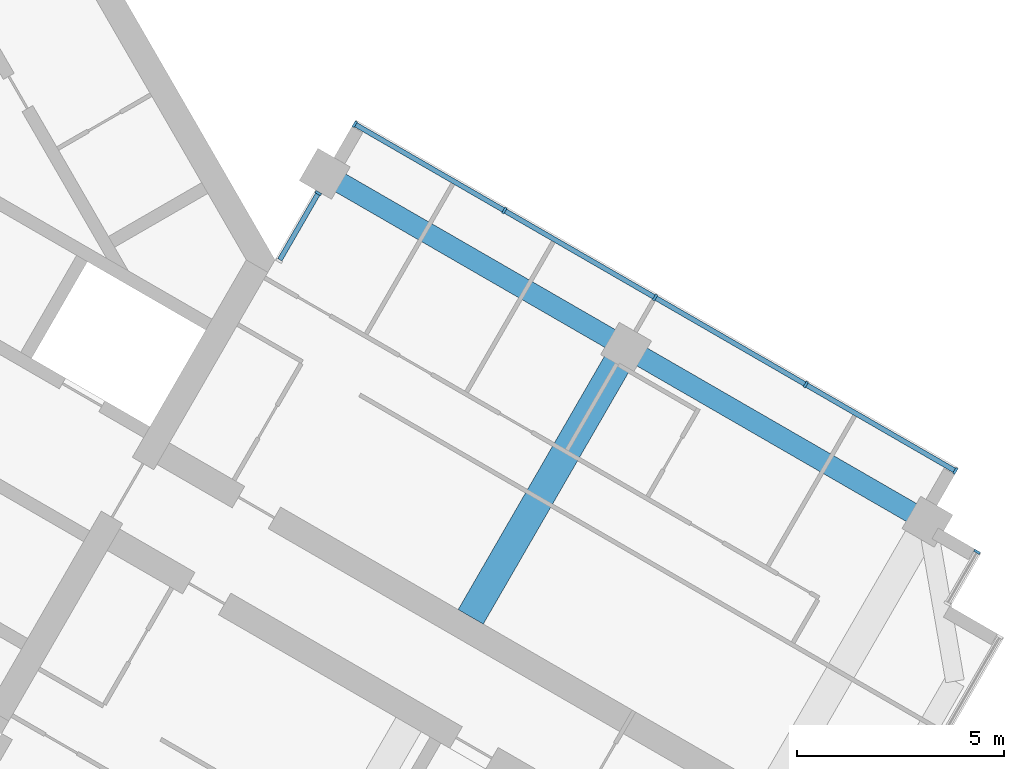
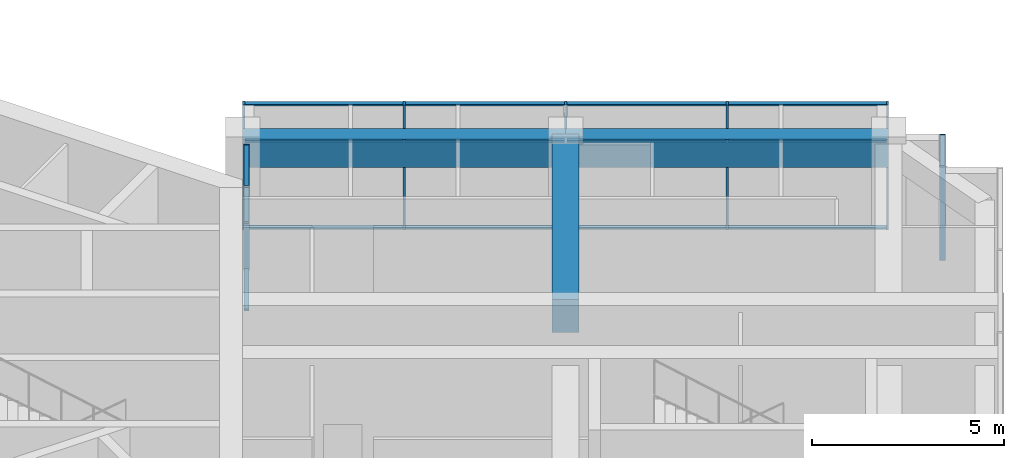
# One storey, part 5 of 15: 22 members, 3 beams, 3 elements without a shape of their own.
"""IFC4 building model written with IfcOpenShell, lengths in metres."""

from ifc_helpers import new_model, si_unit, direction, frame, origin, origin_2d, place, context, subcontext, project, spatial, rectangle, extrude, material, material_profile, profile_set, type_object, element, aggregate, save


model = new_model("IFC4")

# Units and contexts
model_context = context("Model", 3, precision=1e-05, world=origin(), true_north=direction((0.0, 1.0)))
body_context = subcontext(model_context, "Body", "Model", "MODEL_VIEW")
ifc_project = project(units=[si_unit("LENGTHUNIT", "METRE"), si_unit("AREAUNIT", "SQUARE_METRE"), si_unit("VOLUMEUNIT", "CUBIC_METRE"), si_unit("PLANEANGLEUNIT", "RADIAN"), si_unit("MASSUNIT", "GRAM", prefix="KILO")], contexts=[model_context])

# Site, building, storey
site_placement = place(None, origin())
site = spatial("IfcSite", under=ifc_project, at=site_placement, CompositionType="ELEMENT")
building_placement = place(site_placement, origin())
building = spatial("IfcBuilding", under=site, at=building_placement, Name="Impinga Residences", CompositionType="ELEMENT")
storey_placement = place(building_placement, frame((0.0, 0.0, 274.75)))
storey = spatial("IfcBuildingStorey", under=building, at=storey_placement, Name="L69", CompositionType="ELEMENT", Elevation=274.75)

# Beam
ifc_material_1 = material(Name="Concrete C60/75", Category="concrete")
ifc_material_profile_1 = material_profile(ifc_material_1, rectangle(XDim=0.699951171875, YDim=1.050048828125, at=origin_2d()), Name="RC 700x1050")
ifc_profile_set_1 = profile_set([ifc_material_profile_1], Name="Concrete C60/75")
beam_type_1 = type_object("IfcBeamType", Name="CG1 700x1050 cross girder on a wing bay line", PredefinedType="BEAM", material=ifc_profile_set_1)
beam_placement = place(storey_placement, frame((17.924560546875, -8.61669921875, 3.455078125), z_axis=(0.500004234368, 0.866022959057, 0.0), x_axis=(-0.866022959057, 0.500004234368, 0.0)))
element("IfcBeam", 1, at=beam_placement, inside=storey, type_object=beam_type_1, Name="Beam CG1 E2 EC/EA level L70", PredefinedType="BEAM", context=body_context, shape_type="SweptSolid", body=[
    extrude(rectangle(XDim=0.699951171875, YDim=1.050048828125, at=origin_2d()), origin(), (0.0, 0.0, 1.0), 7.5),
])

# Curtain wall, member
ifc_material_2 = material(Name="Aluminium stick curtain wall", Category="aluminium")
curtain_wall_type = type_object("IfcCurtainWallType", Name="CW3 penthouse curtain wall", PredefinedType="USERDEFINED", material=ifc_material_2)
curtain_wall_1_placement = place(storey_placement, origin())
curtain_wall_1 = element("IfcCurtainWall", 2, at=curtain_wall_1_placement, inside=storey, type_object=curtain_wall_type, Name="Curtain wall CW3 L69", ObjectType="STICK CURTAIN WALL", PredefinedType="USERDEFINED")
ifc_material_3 = material(Name="Aluminium mullion", Category="aluminium")
ifc_material_profile_2 = material_profile(ifc_material_3, rectangle(XDim=0.06005859375, YDim=0.159912109375, at=origin_2d()), Name="60x160 mullion")
ifc_profile_set_2 = profile_set([ifc_material_profile_2], Name="Aluminium mullion")
member_type_1 = type_object("IfcMemberType", Name="CW3-M mullion 60x160", PredefinedType="MULLION", material=ifc_profile_set_2)
member_1_placement = place(storey_placement, frame((14.2451171875, 1.610107421875, 0.0), z_axis=(0.0, 0.0, 1.0), x_axis=(0.50000010257, 0.866025344565, 0.0)))
member_1 = element("IfcMember", 3, at=member_1_placement, type_object=member_type_1, Name="CW3 mullion 2", PredefinedType="MULLION", context=body_context, shape_type="SweptSolid", body=[
    extrude(rectangle(XDim=0.06005859375, YDim=0.159912109375, at=origin_2d()), origin(), (0.0, 0.0, 1.0), 3.97998046875),
])

# Curtain wall, members
curtain_wall_2_placement = place(storey_placement, origin())
curtain_wall_2 = element("IfcCurtainWall", 4, at=curtain_wall_2_placement, inside=storey, type_object=curtain_wall_type, Name="Curtain wall CW3 L69", ObjectType="STICK CURTAIN WALL", PredefinedType="USERDEFINED")
member_2_placement = place(storey_placement, frame((15.1259765625, 3.27587890625, 0.0), z_axis=(0.0, 0.0, 1.0), x_axis=(0.866025407005, -0.499999994423, 0.0)))
member_2 = element("IfcMember", 5, at=member_2_placement, type_object=member_type_1, Name="CW3 mullion 1", PredefinedType="MULLION", context=body_context, shape_type="SweptSolid", body=[
    extrude(rectangle(XDim=0.06005859375, YDim=0.159912109375, at=origin_2d()), origin(), (0.0, 0.0, 1.0), 3.97998046875),
])
member_3_placement = place(storey_placement, frame((18.7373046875, 1.19091796875, 0.0), z_axis=(0.0, 0.0, 1.0), x_axis=(0.866025407005, -0.499999994423, 0.0)))
member_3 = element("IfcMember", 6, at=member_3_placement, type_object=member_type_1, Name="CW3 mullion 2", PredefinedType="MULLION", context=body_context, shape_type="SweptSolid", body=[
    extrude(rectangle(XDim=0.06005859375, YDim=0.159912109375, at=origin_2d()), origin(), (0.0, 0.0, 1.0), 3.97998046875),
])
member_4_placement = place(storey_placement, frame((22.37451171875, -0.9091796875, 0.0), z_axis=(0.0, 0.0, 1.0), x_axis=(0.866025407005, -0.499999994423, 0.0)))
member_4 = element("IfcMember", 7, at=member_4_placement, type_object=member_type_1, Name="CW3 mullion 3", PredefinedType="MULLION", context=body_context, shape_type="SweptSolid", body=[
    extrude(rectangle(XDim=0.06005859375, YDim=0.159912109375, at=origin_2d()), origin(), (0.0, 0.0, 1.0), 3.97998046875),
])
member_5_placement = place(storey_placement, frame((26.011962890625, -3.009033203125, 0.0), z_axis=(0.0, 0.0, 1.0), x_axis=(0.866025407005, -0.499999994423, 0.0)))
member_5 = element("IfcMember", 8, at=member_5_placement, type_object=member_type_1, Name="CW3 mullion 4", PredefinedType="MULLION", context=body_context, shape_type="SweptSolid", body=[
    extrude(rectangle(XDim=0.06005859375, YDim=0.159912109375, at=origin_2d()), origin(), (0.0, 0.0, 1.0), 3.97998046875),
])
member_6_placement = place(storey_placement, frame((29.623291015625, -5.093994140625, 0.0), z_axis=(0.0, 0.0, 1.0), x_axis=(0.866025407005, -0.499999994423, 0.0)))
member_6 = element("IfcMember", 9, at=member_6_placement, type_object=member_type_1, Name="CW3 mullion 5", PredefinedType="MULLION", context=body_context, shape_type="SweptSolid", body=[
    extrude(rectangle(XDim=0.06005859375, YDim=0.159912109375, at=origin_2d()), origin(), (0.0, 0.0, 1.0), 3.97998046875),
])

# Curtain wall, member
curtain_wall_3_placement = place(storey_placement, origin())
curtain_wall_3 = element("IfcCurtainWall", 10, at=curtain_wall_3_placement, inside=storey, type_object=curtain_wall_type, Name="Curtain wall CW3 L69", ObjectType="STICK CURTAIN WALL", PredefinedType="USERDEFINED")
member_7_placement = place(storey_placement, frame((30.146728515625, -7.047607421875, 0.0), z_axis=(0.0, 0.0, 1.0), x_axis=(-0.500000030502, -0.866025386174, 0.0)))
member_7 = element("IfcMember", 11, at=member_7_placement, type_object=member_type_1, Name="CW3 mullion 1", PredefinedType="MULLION", context=body_context, shape_type="SweptSolid", body=[
    extrude(rectangle(XDim=0.06005859375, YDim=0.159912109375, at=origin_2d()), origin(), (0.0, 0.0, 1.0), 3.97998046875),
])
aggregate(curtain_wall_3, [member_7])

# Member
ifc_material_4 = material(Name="Aluminium transom", Category="aluminium")
ifc_material_profile_3 = material_profile(ifc_material_4, rectangle(XDim=0.06005859375, YDim=0.1201171875, at=origin_2d()), Name="60x120 transom")
ifc_profile_set_3 = profile_set([ifc_material_profile_3], Name="Aluminium transom")
member_type_2 = type_object("IfcMemberType", Name="CW3-T transom 60x120", PredefinedType="USERDEFINED", material=ifc_profile_set_3)
member_8_placement = place(storey_placement, frame((13.316650390625, 0.001953125, 0.030029296875), z_axis=(0.500019332402, 0.866014241929, 0.0), x_axis=(0.0, 0.0, 1.0)))
member_8 = element("IfcMember", 12, at=member_8_placement, type_object=member_type_2, Name="CW3 transom 1.1", ObjectType="TRANSOM", PredefinedType="USERDEFINED", context=body_context, shape_type="SweptSolid", body=[
    extrude(rectangle(XDim=0.06005859375, YDim=0.1201171875, at=origin_2d()), origin(), (0.0, 0.0, 1.0), 1.8271484375),
])

member_9_placement = place(storey_placement, frame((13.316650390625, 0.001953125, 2.800048828125), z_axis=(0.500019332402, 0.866014241929, 0.0), x_axis=(0.0, 0.0, 1.0)))
member_9 = element("IfcMember", 13, at=member_9_placement, type_object=member_type_2, Name="CW3 transom 1.2", ObjectType="TRANSOM", PredefinedType="USERDEFINED", context=body_context, shape_type="SweptSolid", body=[
    extrude(rectangle(XDim=0.06005859375, YDim=0.1201171875, at=origin_2d()), origin(), (0.0, 0.0, 1.0), 1.8271484375),
])

member_10_placement = place(storey_placement, frame((13.316650390625, 0.001953125, 3.949951171875), z_axis=(0.500019332402, 0.866014241929, 0.0), x_axis=(0.0, 0.0, 1.0)))
member_10 = element("IfcMember", 14, at=member_10_placement, type_object=member_type_2, Name="CW3 transom 1.3", ObjectType="TRANSOM", PredefinedType="USERDEFINED", context=body_context, shape_type="SweptSolid", body=[
    extrude(rectangle(XDim=0.06005859375, YDim=0.1201171875, at=origin_2d()), origin(), (0.0, 0.0, 1.0), 1.8271484375),
])

aggregate(curtain_wall_1, [member_1, member_8, member_9, member_10])

member_11_placement = place(storey_placement, frame((15.15185546875, 3.260986328125, 0.030029296875), z_axis=(0.866019409031, -0.500010383074, 0.0), x_axis=(0.0, 0.0, 1.0)))
member_11 = element("IfcMember", 15, at=member_11_placement, type_object=member_type_2, Name="CW3 transom 1.1", ObjectType="TRANSOM", PredefinedType="USERDEFINED", context=body_context, shape_type="SweptSolid", body=[
    extrude(rectangle(XDim=0.06005859375, YDim=0.1201171875, at=origin_2d()), origin(), (0.0, 0.0, 1.0), 4.1103515625),
])

member_12_placement = place(storey_placement, frame((15.15185546875, 3.260986328125, 2.800048828125), z_axis=(0.866019409031, -0.500010383074, 0.0), x_axis=(0.0, 0.0, 1.0)))
member_12 = element("IfcMember", 16, at=member_12_placement, type_object=member_type_2, Name="CW3 transom 1.2", ObjectType="TRANSOM", PredefinedType="USERDEFINED", context=body_context, shape_type="SweptSolid", body=[
    extrude(rectangle(XDim=0.06005859375, YDim=0.1201171875, at=origin_2d()), origin(), (0.0, 0.0, 1.0), 4.1103515625),
])

member_13_placement = place(storey_placement, frame((15.15185546875, 3.260986328125, 3.949951171875), z_axis=(0.866019409031, -0.500010383074, 0.0), x_axis=(0.0, 0.0, 1.0)))
member_13 = element("IfcMember", 17, at=member_13_placement, type_object=member_type_2, Name="CW3 transom 1.3", ObjectType="TRANSOM", PredefinedType="USERDEFINED", context=body_context, shape_type="SweptSolid", body=[
    extrude(rectangle(XDim=0.06005859375, YDim=0.1201171875, at=origin_2d()), origin(), (0.0, 0.0, 1.0), 4.1103515625),
])

member_14_placement = place(storey_placement, frame((18.76318359375, 1.17578125, 0.030029296875), z_axis=(0.866050071143, -0.499957272447, 0.0), x_axis=(0.0, 0.0, 1.0)))
member_14 = element("IfcMember", 18, at=member_14_placement, type_object=member_type_2, Name="CW3 transom 2.1", ObjectType="TRANSOM", PredefinedType="USERDEFINED", context=body_context, shape_type="SweptSolid", body=[
    extrude(rectangle(XDim=0.06005859375, YDim=0.1201171875, at=origin_2d()), origin(), (0.0, 0.0, 1.0), 4.139892578125),
])

member_15_placement = place(storey_placement, frame((18.76318359375, 1.17578125, 2.800048828125), z_axis=(0.866050071143, -0.499957272447, 0.0), x_axis=(0.0, 0.0, 1.0)))
member_15 = element("IfcMember", 19, at=member_15_placement, type_object=member_type_2, Name="CW3 transom 2.2", ObjectType="TRANSOM", PredefinedType="USERDEFINED", context=body_context, shape_type="SweptSolid", body=[
    extrude(rectangle(XDim=0.06005859375, YDim=0.1201171875, at=origin_2d()), origin(), (0.0, 0.0, 1.0), 4.139892578125),
])

member_16_placement = place(storey_placement, frame((18.76318359375, 1.17578125, 3.949951171875), z_axis=(0.866050071143, -0.499957272447, 0.0), x_axis=(0.0, 0.0, 1.0)))
member_16 = element("IfcMember", 20, at=member_16_placement, type_object=member_type_2, Name="CW3 transom 2.3", ObjectType="TRANSOM", PredefinedType="USERDEFINED", context=body_context, shape_type="SweptSolid", body=[
    extrude(rectangle(XDim=0.06005859375, YDim=0.1201171875, at=origin_2d()), origin(), (0.0, 0.0, 1.0), 4.139892578125),
])

member_17_placement = place(storey_placement, frame((22.400634765625, -0.924072265625, 0.030029296875), z_axis=(0.866009793405, -0.500027036996, 0.0), x_axis=(0.0, 0.0, 1.0)))
member_17 = element("IfcMember", 21, at=member_17_placement, type_object=member_type_2, Name="CW3 transom 3.1", ObjectType="TRANSOM", PredefinedType="USERDEFINED", context=body_context, shape_type="SweptSolid", body=[
    extrude(rectangle(XDim=0.06005859375, YDim=0.1201171875, at=origin_2d()), origin(), (0.0, 0.0, 1.0), 4.139892578125),
])

member_18_placement = place(storey_placement, frame((22.400634765625, -0.924072265625, 2.800048828125), z_axis=(0.866009793405, -0.500027036996, 0.0), x_axis=(0.0, 0.0, 1.0)))
member_18 = element("IfcMember", 22, at=member_18_placement, type_object=member_type_2, Name="CW3 transom 3.2", ObjectType="TRANSOM", PredefinedType="USERDEFINED", context=body_context, shape_type="SweptSolid", body=[
    extrude(rectangle(XDim=0.06005859375, YDim=0.1201171875, at=origin_2d()), origin(), (0.0, 0.0, 1.0), 4.139892578125),
])

member_19_placement = place(storey_placement, frame((22.400634765625, -0.924072265625, 3.949951171875), z_axis=(0.866009793405, -0.500027036996, 0.0), x_axis=(0.0, 0.0, 1.0)))
member_19 = element("IfcMember", 23, at=member_19_placement, type_object=member_type_2, Name="CW3 transom 3.3", ObjectType="TRANSOM", PredefinedType="USERDEFINED", context=body_context, shape_type="SweptSolid", body=[
    extrude(rectangle(XDim=0.06005859375, YDim=0.1201171875, at=origin_2d()), origin(), (0.0, 0.0, 1.0), 4.139892578125),
])

member_20_placement = place(storey_placement, frame((26.037841796875, -3.024169921875, 0.030029296875), z_axis=(0.866030279993, -0.499991554064, 0.0), x_axis=(0.0, 0.0, 1.0)))
member_20 = element("IfcMember", 24, at=member_20_placement, type_object=member_type_2, Name="CW3 transom 4.1", ObjectType="TRANSOM", PredefinedType="USERDEFINED", context=body_context, shape_type="SweptSolid", body=[
    extrude(rectangle(XDim=0.06005859375, YDim=0.1201171875, at=origin_2d()), origin(), (0.0, 0.0, 1.0), 4.10986328125),
])

member_21_placement = place(storey_placement, frame((26.037841796875, -3.024169921875, 2.800048828125), z_axis=(0.866030279993, -0.499991554064, 0.0), x_axis=(0.0, 0.0, 1.0)))
member_21 = element("IfcMember", 25, at=member_21_placement, type_object=member_type_2, Name="CW3 transom 4.2", ObjectType="TRANSOM", PredefinedType="USERDEFINED", context=body_context, shape_type="SweptSolid", body=[
    extrude(rectangle(XDim=0.06005859375, YDim=0.1201171875, at=origin_2d()), origin(), (0.0, 0.0, 1.0), 4.10986328125),
])

member_22_placement = place(storey_placement, frame((26.037841796875, -3.024169921875, 3.949951171875), z_axis=(0.866030279993, -0.499991554064, 0.0), x_axis=(0.0, 0.0, 1.0)))
member_22 = element("IfcMember", 26, at=member_22_placement, type_object=member_type_2, Name="CW3 transom 4.3", ObjectType="TRANSOM", PredefinedType="USERDEFINED", context=body_context, shape_type="SweptSolid", body=[
    extrude(rectangle(XDim=0.06005859375, YDim=0.1201171875, at=origin_2d()), origin(), (0.0, 0.0, 1.0), 4.10986328125),
])

aggregate(curtain_wall_2, [member_2, member_3, member_4, member_5, member_6, member_11, member_12, member_13, member_14, member_15, member_16, member_17, member_18, member_19, member_20, member_21, member_22])

# Beams
ifc_material_profile_4 = material_profile(ifc_material_1, rectangle(XDim=0.5, YDim=0.89990234375, at=origin_2d()), Name="RC 500x900")
ifc_profile_set_4 = profile_set([ifc_material_profile_4], Name="Concrete C60/75")
beam_type_2 = type_object("IfcBeamType", Name="SB1 500x900 perimeter spandrel beam", PredefinedType="SPANDREL", material=ifc_profile_set_4)
for number, where, z_axis, x_axis, name in (
    (27, (14.39990234375, 2.078369140625, 3.530029296875), (0.86602925447, -0.499993330357, 0.0), (0.499993330357, 0.86602925447, 0.0), "Beam SB1 EA E1-E2 level L70"),
    (28, (21.674560546875, -2.12158203125, 3.530029296875), (0.86602925447, -0.499993330357, 0.0), (0.499993330357, 0.86602925447, 0.0), "Beam SB1 EA E2-E3 level L70"),
):
    element("IfcBeam", number, at=place(storey_placement, frame(where, z_axis=z_axis, x_axis=x_axis)), inside=storey, type_object=beam_type_2, Name=name, PredefinedType="SPANDREL", context=body_context, shape_type="SweptSolid", body=[
        extrude(rectangle(XDim=0.5, YDim=0.89990234375, at=origin_2d()), origin(), (0.0, 0.0, 1.0), 8.39990234375),
    ])

save(model, "model.ifc")
